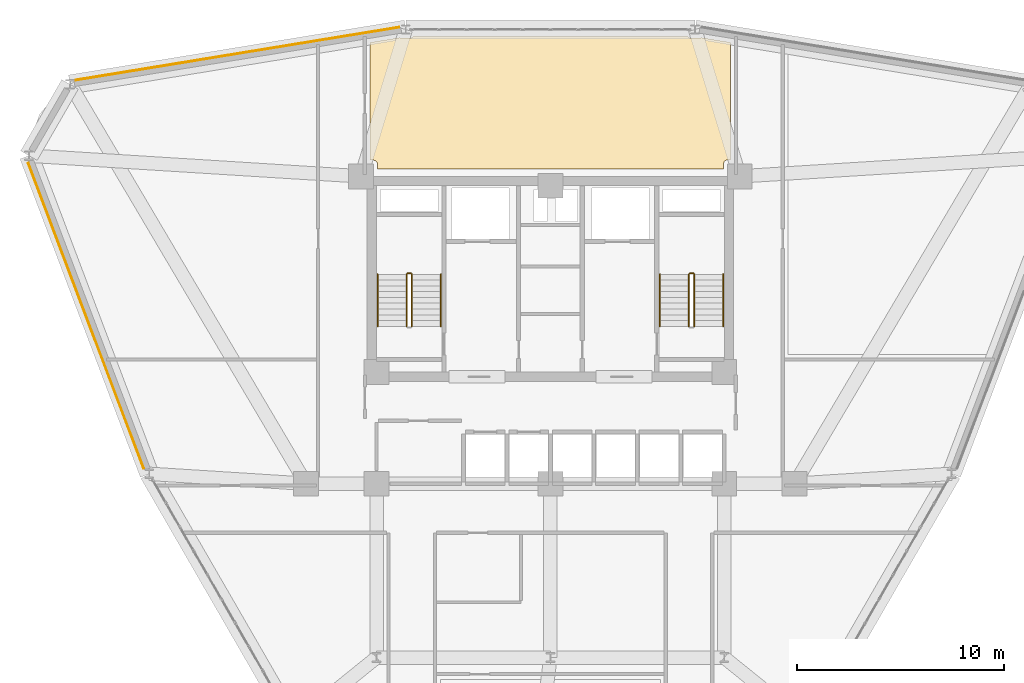
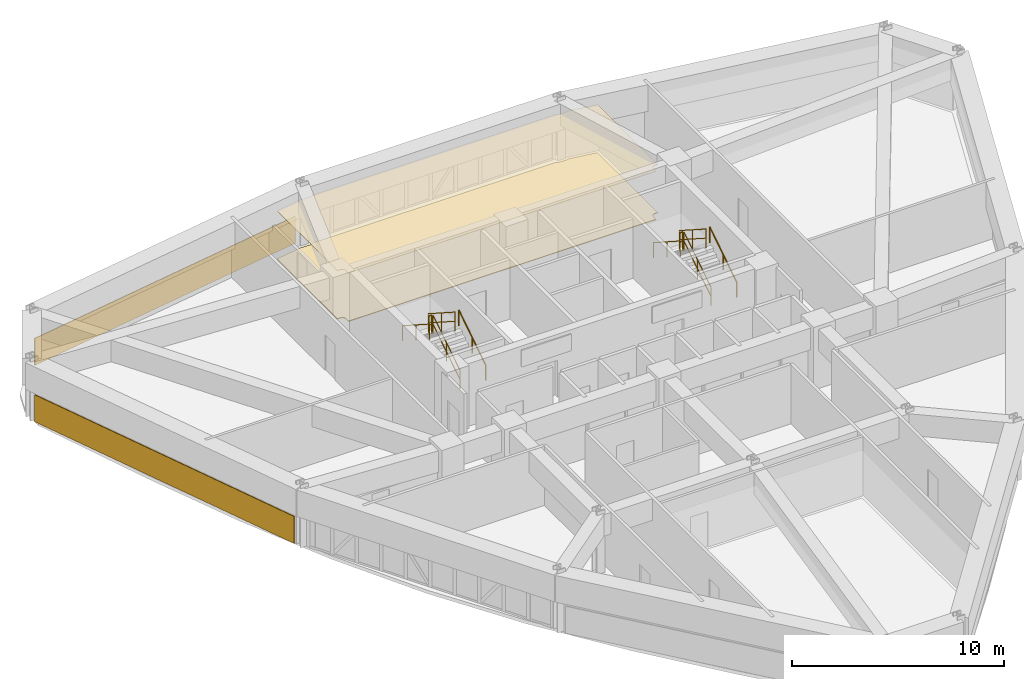
# One storey, part 14 of 15: 10 railings, 4 coverings.
"""IFC4 building model written with IfcOpenShell, lengths in metres."""

from ifc_helpers import new_model, si_unit, derived_unit, direction, frame, origin, origin_2d, place, context, subcontext, project, spatial, polyline, circle, outline, extrude, material, layer, layer_set, type_object, element, save


model = new_model("IFC4")

# Units and contexts
model_context = context("Model", 3, precision=1e-05, world=origin(), true_north=direction((0.0, 1.0)))
body_context = subcontext(model_context, "Body", "Model", "MODEL_VIEW")
ifc_project = project(units=[si_unit("LENGTHUNIT", "METRE"), si_unit("AREAUNIT", "SQUARE_METRE"), si_unit("VOLUMEUNIT", "CUBIC_METRE"), si_unit("PLANEANGLEUNIT", "RADIAN"), si_unit("MASSUNIT", "GRAM", prefix="KILO"), derived_unit("THERMALTRANSMITTANCEUNIT", [(si_unit("POWERUNIT", "WATT"), 1), (si_unit("LENGTHUNIT", "METRE"), -2), (si_unit("THERMODYNAMICTEMPERATUREUNIT", "KELVIN"), -1)])], contexts=[model_context])

# Site, building, storey
site_placement = place(None, origin())
site = spatial("IfcSite", under=ifc_project, at=site_placement, CompositionType="ELEMENT")
building_placement = place(site_placement, origin())
building = spatial("IfcBuilding", under=site, at=building_placement, Name="Korsvarv Bourse and Concert Hall", CompositionType="ELEMENT")
storey_placement = place(building_placement, frame((0.0, 0.0, 113.39990234375)))
storey = spatial("IfcBuildingStorey", under=building, at=storey_placement, Name="L28", CompositionType="ELEMENT", Elevation=113.39990234375)

# Coverings
ifc_material_1 = material(Name="Perforated mineral-wool and birch acoustic baffle ceiling", Category="wood")
ifc_layer_1 = layer(ifc_material_1, 0.02490234375)
ifc_layer_set_1 = layer_set([ifc_layer_1], Name="Perforated mineral-wool and birch acoustic baffle ceiling")
covering_type_1 = type_object("IfcCoveringType", Name="COV-CEIL-1", PredefinedType="CEILING", material=ifc_layer_set_1)
covering_1_placement = place(storey_placement, frame((0.0, 0.0, 2.780029296875)))
element("IfcCovering", 1, at=covering_1_placement, inside=storey, type_object=covering_type_1, Name="L28 acoustic baffle ceiling 3", PredefinedType="CEILING", context=body_context, shape_type="SweptSolid", body=[
    extrude(outline(polyline([(28.720458984375, 53.952392578125), (28.75439453125, 53.94140625), (28.788818359375, 53.93701171875), (29.216796875, 53.927001953125), (29.251708984375, 53.9296875), (29.28564453125, 53.939208984375), (29.317138671875, 53.954833984375), (29.3447265625, 53.976318359375), (29.367919921875, 54.0029296875), (42.62841796875, 54.004638671875), (42.653076171875, 53.9794921875), (42.681640625, 53.959716796875), (42.71337890625, 53.94580078125), (42.747314453125, 53.9384765625), (43.19287109375, 53.927001953125), (43.227294921875, 53.9296875), (43.2607421875, 53.938720703125), (43.28662109375, 53.951416015625), (44.7099609375, 53.71875), (44.7099609375, 48.0400390625), (44.550048828125, 48.0400390625), (44.515380859375, 48.03662109375), (44.482177734375, 48.026611328125), (44.451416015625, 48.010498046875), (44.42431640625, 47.98876953125), (44.40185546875, 47.962158203125), (44.385009765625, 47.931640625), (44.374267578125, 47.898681640625), (44.3701171875, 47.864013671875), (44.364013671875, 47.60009765625), (27.639892578125, 47.60009765625), (27.639892578125, 47.85009765625), (27.63671875, 47.884521484375), (27.626708984375, 47.917724609375), (27.610595703125, 47.948486328125), (27.589111328125, 47.975341796875), (27.562744140625, 47.997802734375), (27.532470703125, 48.014892578125), (27.49951171875, 48.025634765625), (27.465087890625, 48.02978515625), (27.2900390625, 48.034912109375), (27.2900390625, 53.71875), (28.720458984375, 53.952392578125)])), origin(), (0.0, 0.0, 1.0), 0.025146484375),
])
ifc_material_2 = material(Name="Warm iron-oxide extruded terracotta rainscreen tile", Category="ceramic")
ifc_layer_2 = layer(ifc_material_2, 0.044921875)
ifc_layer_set_2 = layer_set([ifc_layer_2], Name="Warm iron-oxide extruded terracotta rainscreen tile")
covering_type_2 = type_object("IfcCoveringType", Name="COV-CLD-TC", PredefinedType="CLADDING", material=ifc_layer_set_2)
covering_2_placement = place(storey_placement, origin())
element("IfcCovering", 2, at=covering_2_placement, inside=storey, type_object=covering_type_2, Name="L28 fluted terracotta cladding panel EW-L28-B04", PredefinedType="CLADDING", context=body_context, shape_type="SweptSolid", body=[
    extrude(outline(polyline([(28.697265625, 54.429931640625), (13.063720703125, 51.874755859375), (13.056396484375, 51.919189453125), (28.68994140625, 54.474365234375), (28.697265625, 54.429931640625)])), origin(), (0.0, 0.0, 1.0), 1.550048828125),
])
covering_3_placement = place(storey_placement, origin())
element("IfcCovering", 3, at=covering_3_placement, inside=storey, type_object=covering_type_2, Name="L28 fluted terracotta cladding panel EW-L28-B06", PredefinedType="CLADDING", context=body_context, shape_type="SweptSolid", body=[
    extrude(outline(polyline([(10.794921875, 47.896240234375), (16.376708984375, 33.13916015625), (16.33447265625, 33.123046875), (10.7529296875, 47.88037109375), (10.794921875, 47.896240234375)])), origin(), (0.0, 0.0, 1.0), 1.550048828125),
])
ifc_material_3 = material(Name="Calcium-sulphate raised access trading floor with Nordic oak top", Category="wood")
ifc_layer_3 = layer(ifc_material_3, 0.0400390625)
ifc_layer_set_3 = layer_set([ifc_layer_3], Name="Calcium-sulphate raised access trading floor with Nordic oak top")
covering_type_3 = type_object("IfcCoveringType", Name="COV-FLOR-1", PredefinedType="FLOORING", material=ifc_layer_set_3)
covering_4_placement = place(storey_placement, origin())
element("IfcCovering", 4, at=covering_4_placement, inside=storey, type_object=covering_type_3, Name="L28 raised access oak floor finish 3", PredefinedType="FLOORING", context=body_context, shape_type="SweptSolid", body=[
    extrude(outline(polyline([(28.720458984375, 53.952392578125), (28.75439453125, 53.94140625), (28.788818359375, 53.93701171875), (29.216796875, 53.927001953125), (29.251708984375, 53.9296875), (29.28564453125, 53.939208984375), (29.317138671875, 53.954833984375), (29.3447265625, 53.976318359375), (29.367919921875, 54.0029296875), (42.62841796875, 54.004638671875), (42.653076171875, 53.9794921875), (42.681640625, 53.959716796875), (42.71337890625, 53.94580078125), (42.747314453125, 53.9384765625), (43.19287109375, 53.927001953125), (43.227294921875, 53.9296875), (43.2607421875, 53.938720703125), (43.28662109375, 53.951416015625), (44.7099609375, 53.71875), (44.7099609375, 48.0400390625), (44.550048828125, 48.0400390625), (44.515380859375, 48.03662109375), (44.482177734375, 48.026611328125), (44.451416015625, 48.010498046875), (44.42431640625, 47.98876953125), (44.40185546875, 47.962158203125), (44.385009765625, 47.931640625), (44.374267578125, 47.898681640625), (44.3701171875, 47.864013671875), (44.364013671875, 47.60009765625), (27.639892578125, 47.60009765625), (27.639892578125, 47.85009765625), (27.63671875, 47.884521484375), (27.626708984375, 47.917724609375), (27.610595703125, 47.948486328125), (27.589111328125, 47.975341796875), (27.562744140625, 47.997802734375), (27.532470703125, 48.014892578125), (27.49951171875, 48.025634765625), (27.465087890625, 48.02978515625), (27.2900390625, 48.034912109375), (27.2900390625, 53.71875), (28.720458984375, 53.952392578125)])), origin(), (0.0, 0.0, 1.0), 0.0400390625),
])

# Railings
ifc_material_4 = material(Name="Painted Steel S355 stair well guardrail", Category="steel")
railing_type_1 = type_object("IfcRailingType", Name="RL-ST-GRD", PredefinedType="GUARDRAIL", material=ifc_material_4)
railing_1_placement = place(storey_placement, frame((29.31005859375, 40.0, 0.18017578125)))
element("IfcRailing", 5, at=railing_1_placement, inside=storey, type_object=railing_type_1, Name="L28 ST-T1 stair guard 1", PredefinedType="GUARDRAIL", context=body_context, shape_type="SweptSolid", body=[
    extrude(circle(Radius=0.02392578125, at=origin_2d()), frame((0.0, 0.0, 1.076171875), z_axis=(0.0, 0.841199657755, 0.540724639528), x_axis=(-1.0, 0.0, 0.0)), (0.0, 0.0, 1.0), 2.995849609375),
    extrude(circle(Radius=0.02392578125, at=origin_2d()), frame((0.0, 0.0, 0.550048828125), z_axis=(0.0, 0.841199657755, 0.540724639528), x_axis=(-1.0, 0.0, 0.0)), (0.0, 0.0, 1.0), 2.995849609375),
    extrude(circle(Radius=0.02099609375, at=origin_2d()), origin(), (0.0, 0.0, 1.0), 1.052001953125),
    extrude(circle(Radius=0.02099609375, at=origin_2d()), frame((0.0, 1.260009765625, 0.81005859375)), (0.0, 0.0, 1.0), 1.052001953125),
    extrude(circle(Radius=0.02099609375, at=origin_2d()), frame((0.0, 2.52001953125, 1.619873046875)), (0.0, 0.0, 1.0), 1.052001953125),
])
railing_2_placement = place(storey_placement, frame((29.260009765625, 42.570068359375, 1.800048828125)))
element("IfcRailing", 6, at=railing_2_placement, inside=storey, type_object=railing_type_1, Name="L28 ST-T1 stair guard 2", PredefinedType="GUARDRAIL", context=body_context, shape_type="SweptSolid", body=[
    extrude(circle(Radius=0.02392578125, at=origin_2d()), frame((0.0, 0.0, 1.076171875), z_axis=(-1.0, 0.0, 0.0), x_axis=(0.0, -1.0, 0.0)), (0.0, 0.0, 1.0), 0.159912109375),
    extrude(circle(Radius=0.02392578125, at=origin_2d()), frame((0.0, 0.0, 0.550048828125), z_axis=(-1.0, 0.0, 0.0), x_axis=(0.0, -1.0, 0.0)), (0.0, 0.0, 1.0), 0.159912109375),
    extrude(circle(Radius=0.02099609375, at=origin_2d()), origin(), (0.0, 0.0, 1.0), 1.052001953125),
    extrude(circle(Radius=0.02099609375, at=origin_2d()), frame((-0.159912109375, 0.0, 0.0)), (0.0, 0.0, 1.0), 1.052001953125),
])
railing_3_placement = place(storey_placement, frame((29.050048828125, 42.52001953125, 1.97998046875)))
element("IfcRailing", 7, at=railing_3_placement, inside=storey, type_object=railing_type_1, Name="L28 ST-T1 stair guard 3", PredefinedType="GUARDRAIL", context=body_context, shape_type="SweptSolid", body=[
    extrude(circle(Radius=0.02392578125, at=origin_2d()), frame((0.0, 0.0, 1.076171875), z_axis=(0.0, -0.841162588446, 0.540782303519), x_axis=(1.0, 0.0, 0.0)), (0.0, 0.0, 1.0), 2.995849609375),
    extrude(circle(Radius=0.02392578125, at=origin_2d()), frame((0.0, 0.0, 0.550048828125), z_axis=(0.0, -0.841162588446, 0.540782303519), x_axis=(1.0, 0.0, 0.0)), (0.0, 0.0, 1.0), 2.995849609375),
    extrude(circle(Radius=0.02099609375, at=origin_2d()), origin(), (0.0, 0.0, 1.0), 1.052001953125),
    extrude(circle(Radius=0.02099609375, at=origin_2d()), frame((0.0, -1.260009765625, 0.81005859375)), (0.0, 0.0, 1.0), 1.052001953125),
    extrude(circle(Radius=0.02099609375, at=origin_2d()), frame((0.0, -2.52001953125, 1.6201171875)), (0.0, 0.0, 1.0), 1.052001953125),
])
railing_4_placement = place(storey_placement, frame((42.949951171875, 40.0, 0.18017578125)))
element("IfcRailing", 8, at=railing_4_placement, inside=storey, type_object=railing_type_1, Name="L28 ST-T2 stair guard 1", PredefinedType="GUARDRAIL", context=body_context, shape_type="SweptSolid", body=[
    extrude(circle(Radius=0.02392578125, at=origin_2d()), frame((0.0, 0.0, 1.076171875), z_axis=(0.0, 0.841199657755, 0.540724639528), x_axis=(-1.0, 0.0, 0.0)), (0.0, 0.0, 1.0), 2.995849609375),
    extrude(circle(Radius=0.02392578125, at=origin_2d()), frame((0.0, 0.0, 0.550048828125), z_axis=(0.0, 0.841199657755, 0.540724639528), x_axis=(-1.0, 0.0, 0.0)), (0.0, 0.0, 1.0), 2.995849609375),
    extrude(circle(Radius=0.02099609375, at=origin_2d()), origin(), (0.0, 0.0, 1.0), 1.052001953125),
    extrude(circle(Radius=0.02099609375, at=origin_2d()), frame((0.0, 1.260009765625, 0.81005859375)), (0.0, 0.0, 1.0), 1.052001953125),
    extrude(circle(Radius=0.02099609375, at=origin_2d()), frame((0.0, 2.52001953125, 1.619873046875)), (0.0, 0.0, 1.0), 1.052001953125),
])
railing_5_placement = place(storey_placement, frame((42.89990234375, 42.570068359375, 1.800048828125)))
element("IfcRailing", 9, at=railing_5_placement, inside=storey, type_object=railing_type_1, Name="L28 ST-T2 stair guard 2", PredefinedType="GUARDRAIL", context=body_context, shape_type="SweptSolid", body=[
    extrude(circle(Radius=0.02392578125, at=origin_2d()), frame((0.0, 0.0, 1.076171875), z_axis=(-1.0, 0.0, 0.0), x_axis=(0.0, -1.0, 0.0)), (0.0, 0.0, 1.0), 0.159912109375),
    extrude(circle(Radius=0.02392578125, at=origin_2d()), frame((0.0, 0.0, 0.550048828125), z_axis=(-1.0, 0.0, 0.0), x_axis=(0.0, -1.0, 0.0)), (0.0, 0.0, 1.0), 0.159912109375),
    extrude(circle(Radius=0.02099609375, at=origin_2d()), origin(), (0.0, 0.0, 1.0), 1.052001953125),
    extrude(circle(Radius=0.02099609375, at=origin_2d()), frame((-0.159912109375, 0.0, 0.0)), (0.0, 0.0, 1.0), 1.052001953125),
])
railing_6_placement = place(storey_placement, frame((42.68994140625, 42.52001953125, 1.97998046875)))
element("IfcRailing", 10, at=railing_6_placement, inside=storey, type_object=railing_type_1, Name="L28 ST-T2 stair guard 3", PredefinedType="GUARDRAIL", context=body_context, shape_type="SweptSolid", body=[
    extrude(circle(Radius=0.02392578125, at=origin_2d()), frame((0.0, 0.0, 1.076171875), z_axis=(0.0, -0.841162588446, 0.540782303519), x_axis=(1.0, 0.0, 0.0)), (0.0, 0.0, 1.0), 2.995849609375),
    extrude(circle(Radius=0.02392578125, at=origin_2d()), frame((0.0, 0.0, 0.550048828125), z_axis=(0.0, -0.841162588446, 0.540782303519), x_axis=(1.0, 0.0, 0.0)), (0.0, 0.0, 1.0), 2.995849609375),
    extrude(circle(Radius=0.02099609375, at=origin_2d()), origin(), (0.0, 0.0, 1.0), 1.052001953125),
    extrude(circle(Radius=0.02099609375, at=origin_2d()), frame((0.0, -1.260009765625, 0.81005859375)), (0.0, 0.0, 1.0), 1.052001953125),
    extrude(circle(Radius=0.02099609375, at=origin_2d()), frame((0.0, -2.52001953125, 1.6201171875)), (0.0, 0.0, 1.0), 1.052001953125),
])
ifc_material_5 = material(Name="Brushed stainless Steel S355 tubular handrail", Category="steel")
railing_type_2 = type_object("IfcRailingType", Name="RL-ST-HND", PredefinedType="HANDRAIL", material=ifc_material_5)
railing_7_placement = place(storey_placement, frame((30.7099609375, 40.0, 0.18017578125)))
element("IfcRailing", 11, at=railing_7_placement, inside=storey, type_object=railing_type_2, Name="L28 ST-T1 stair handrail 1", PredefinedType="HANDRAIL", context=body_context, shape_type="SweptSolid", body=[
    extrude(circle(Radius=0.02392578125, at=origin_2d()), frame((0.0, 0.0, 0.8759765625), z_axis=(0.0, 0.841199657755, 0.540724639528), x_axis=(-1.0, 0.0, 0.0)), (0.0, 0.0, 1.0), 2.995849609375),
    extrude(circle(Radius=0.02099609375, at=origin_2d()), origin(), (0.0, 0.0, 1.0), 0.851806640625),
    extrude(circle(Radius=0.02099609375, at=origin_2d()), frame((0.0, 1.260009765625, 0.81005859375)), (0.0, 0.0, 1.0), 0.851806640625),
    extrude(circle(Radius=0.02099609375, at=origin_2d()), frame((0.0, 2.52001953125, 1.619873046875)), (0.0, 0.0, 1.0), 0.851806640625),
])
railing_8_placement = place(storey_placement, frame((27.64990234375, 42.52001953125, 1.97998046875)))
element("IfcRailing", 12, at=railing_8_placement, inside=storey, type_object=railing_type_2, Name="L28 ST-T1 stair handrail 2", PredefinedType="HANDRAIL", context=body_context, shape_type="SweptSolid", body=[
    extrude(circle(Radius=0.02392578125, at=origin_2d()), frame((0.0, 0.0, 0.8759765625), z_axis=(0.0, -0.841162588446, 0.540782303519), x_axis=(1.0, 0.0, 0.0)), (0.0, 0.0, 1.0), 2.995849609375),
    extrude(circle(Radius=0.02099609375, at=origin_2d()), origin(), (0.0, 0.0, 1.0), 0.851806640625),
    extrude(circle(Radius=0.02099609375, at=origin_2d()), frame((0.0, -1.260009765625, 0.81005859375)), (0.0, 0.0, 1.0), 0.851806640625),
    extrude(circle(Radius=0.02099609375, at=origin_2d()), frame((0.0, -2.52001953125, 1.6201171875)), (0.0, 0.0, 1.0), 0.851806640625),
])
railing_9_placement = place(storey_placement, frame((44.35009765625, 40.0, 0.18017578125)))
element("IfcRailing", 13, at=railing_9_placement, inside=storey, type_object=railing_type_2, Name="L28 ST-T2 stair handrail 1", PredefinedType="HANDRAIL", context=body_context, shape_type="SweptSolid", body=[
    extrude(circle(Radius=0.02392578125, at=origin_2d()), frame((0.0, 0.0, 0.8759765625), z_axis=(0.0, 0.841199657755, 0.540724639528), x_axis=(-1.0, 0.0, 0.0)), (0.0, 0.0, 1.0), 2.995849609375),
    extrude(circle(Radius=0.02099609375, at=origin_2d()), origin(), (0.0, 0.0, 1.0), 0.851806640625),
    extrude(circle(Radius=0.02099609375, at=origin_2d()), frame((0.0, 1.260009765625, 0.81005859375)), (0.0, 0.0, 1.0), 0.851806640625),
    extrude(circle(Radius=0.02099609375, at=origin_2d()), frame((0.0, 2.52001953125, 1.619873046875)), (0.0, 0.0, 1.0), 0.851806640625),
])
railing_10_placement = place(storey_placement, frame((41.2900390625, 42.52001953125, 1.97998046875)))
element("IfcRailing", 14, at=railing_10_placement, inside=storey, type_object=railing_type_2, Name="L28 ST-T2 stair handrail 2", PredefinedType="HANDRAIL", context=body_context, shape_type="SweptSolid", body=[
    extrude(circle(Radius=0.02392578125, at=origin_2d()), frame((0.0, 0.0, 0.8759765625), z_axis=(0.0, -0.841162588446, 0.540782303519), x_axis=(1.0, 0.0, 0.0)), (0.0, 0.0, 1.0), 2.995849609375),
    extrude(circle(Radius=0.02099609375, at=origin_2d()), origin(), (0.0, 0.0, 1.0), 0.851806640625),
    extrude(circle(Radius=0.02099609375, at=origin_2d()), frame((0.0, -1.260009765625, 0.81005859375)), (0.0, 0.0, 1.0), 0.851806640625),
    extrude(circle(Radius=0.02099609375, at=origin_2d()), frame((0.0, -2.52001953125, 1.6201171875)), (0.0, 0.0, 1.0), 0.851806640625),
])

save(model, "model.ifc")
